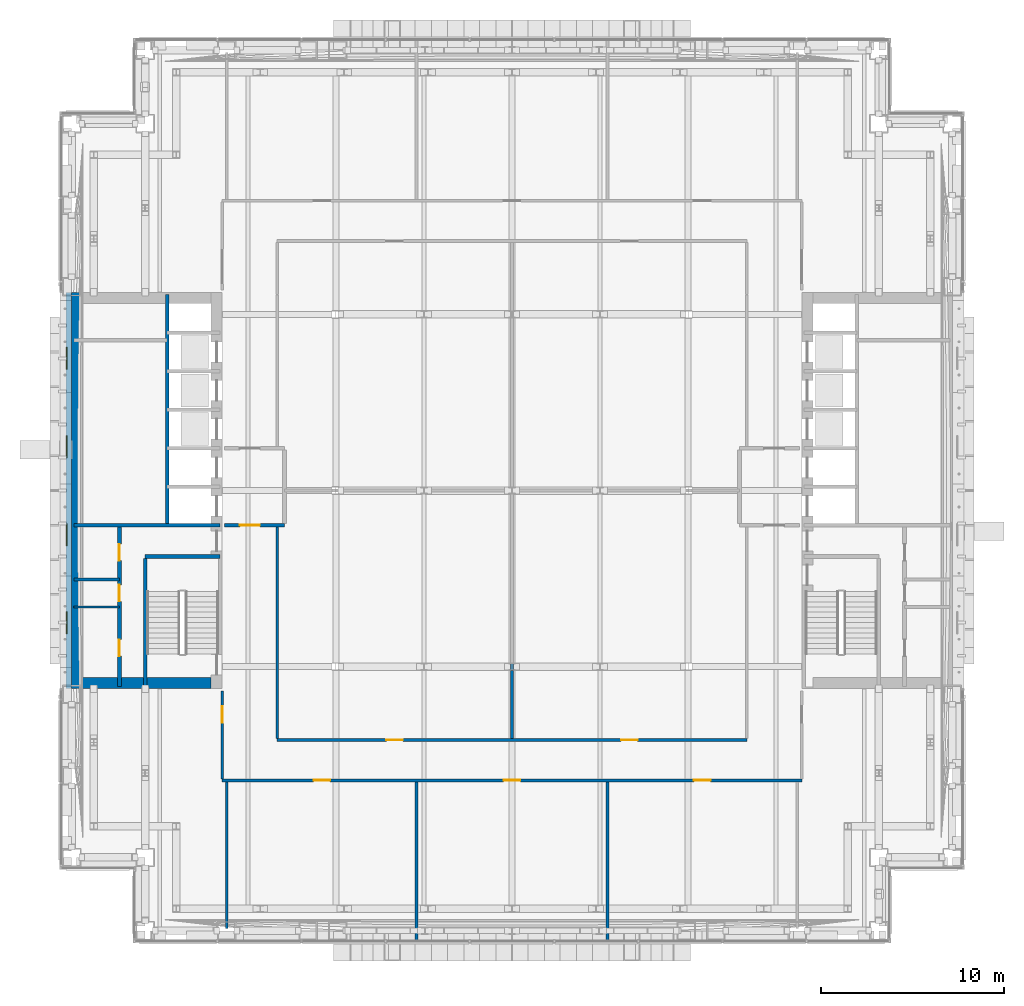
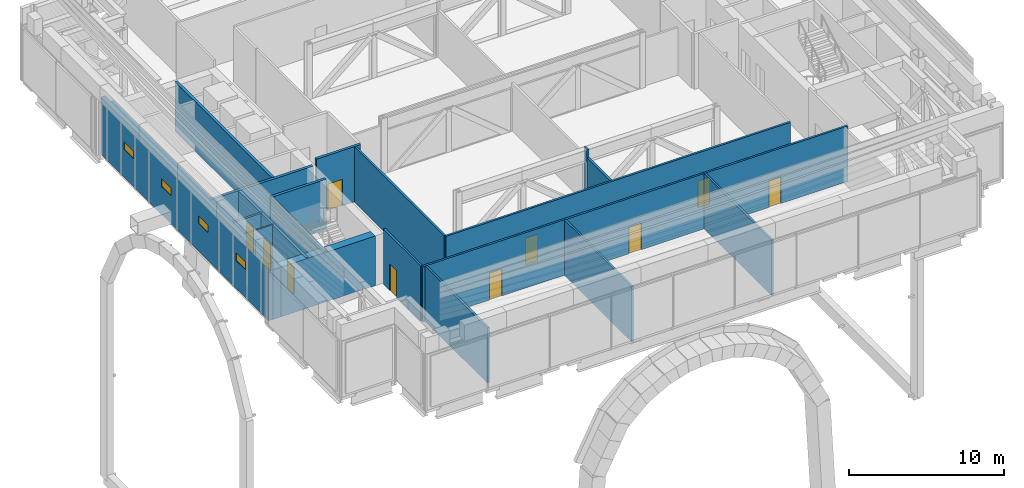
# One storey, part 17 of 39: 20 walls, 10 doors, 4 windows, 14 openings.
"""IFC4 building model written with IfcOpenShell, lengths in metres."""

from ifc_helpers import new_model, si_unit, direction, frame, frame_2d, origin, place, context, subcontext, project, spatial, rectangle, extrude, material, layer, layer_set, type_object, element, fill, save


model = new_model("IFC4")

# Units and contexts
model_context = context("Model", 3, precision=1e-05, world=origin(), true_north=direction((0.0, 1.0)))
body_context = subcontext(model_context, "Body", "Model", "MODEL_VIEW")
ifc_project = project(units=[si_unit("LENGTHUNIT", "METRE"), si_unit("AREAUNIT", "SQUARE_METRE"), si_unit("VOLUMEUNIT", "CUBIC_METRE"), si_unit("PLANEANGLEUNIT", "RADIAN"), si_unit("MASSUNIT", "GRAM", prefix="KILO")], contexts=[model_context])

# Site, building, storey
site_placement = place(None, origin())
site = spatial("IfcSite", under=ifc_project, at=site_placement, CompositionType="ELEMENT")
building_placement = place(site_placement, origin())
building = spatial("IfcBuilding", under=site, at=building_placement, Name="Cobrizo Arcos Hotel Tower", CompositionType="ELEMENT")
storey_placement = place(building_placement, frame((0.0, 0.0, 84.5)))
storey = spatial("IfcBuildingStorey", under=building, at=storey_placement, Name="L20", CompositionType="ELEMENT", Elevation=84.5)

# Wall, openings, doors
ifc_material_1 = material(Name="Gypsum board partition")
ifc_layer_1 = layer(ifc_material_1, 0.14990234375)
ifc_layer_set_1 = layer_set([ifc_layer_1], Name="Corridor wall EI 60 150")
wall_type_1 = type_object("IfcWallType", Name="Corridor wall EI 60 150", PredefinedType="PARTITIONING", material=ifc_layer_set_1)
wall_1_placement = place(storey_placement, frame((-15.800048828125, -15.800048828125, 0.0), z_axis=(0.0, 0.0, 1.0), x_axis=(1.0, 0.0, 0.0)))
wall_1 = element("IfcWall", 1, at=wall_1_placement, inside=storey, type_object=wall_type_1, Name="Partition 001", PredefinedType="PARTITIONING", context=body_context, shape_type="SweptSolid", body=[
    extrude(rectangle(XDim=31.60009765625, YDim=0.14990234375, at=frame_2d((15.800048828125, 0.0))), origin(), (0.0, 0.0, 1.0), 4.35009765625),
])
opening_1_placement = place(wall_1_placement, frame((4.97998046875, 0.0, 0.0)))
opening_1 = element("IfcOpeningElement", 2, at=opening_1_placement, cuts=wall_1, Name="Opening RD-10", PredefinedType="OPENING", context=body_context, shape_type="SweptSolid", body=[
    extrude(rectangle(XDim=0.89990234375, YDim=2.10009765625, at=frame_2d((0.449951171875, 1.050048828125))), frame((0.0, 0.0869140625, 0.0), z_axis=(0.0, -1.0, 0.0), x_axis=(1.0, 0.0, 0.0)), (0.0, 0.0, 1.0), 0.173828125),
])
opening_2_placement = place(wall_1_placement, frame((15.35009765625, 0.0, 0.0)))
opening_2 = element("IfcOpeningElement", 3, at=opening_2_placement, cuts=wall_1, Name="Opening RD-11", PredefinedType="OPENING", context=body_context, shape_type="SweptSolid", body=[
    extrude(rectangle(XDim=0.89990234375, YDim=2.10009765625, at=frame_2d((0.449951171875, 1.050048828125))), frame((0.0, 0.0869140625, 0.0), z_axis=(0.0, -1.0, 0.0), x_axis=(1.0, 0.0, 0.0)), (0.0, 0.0, 1.0), 0.173828125),
])
opening_3_placement = place(wall_1_placement, frame((25.720947265625, 0.0, 0.0)))
opening_3 = element("IfcOpeningElement", 4, at=opening_3_placement, cuts=wall_1, Name="Opening RD-12", PredefinedType="OPENING", context=body_context, shape_type="SweptSolid", body=[
    extrude(rectangle(XDim=0.89990234375, YDim=2.10009765625, at=frame_2d((0.449951171875, 1.050048828125))), frame((0.0, 0.0869140625, 0.0), z_axis=(0.0, -1.0, 0.0), x_axis=(1.0, 0.0, 0.0)), (0.0, 0.0, 1.0), 0.173828125),
])
ifc_material_2 = material(Name="Timber door leaf", Category="wood")
door_type_1 = type_object("IfcDoorType", Name="Room door FD30 900x2100", OperationType="SINGLE_SWING_LEFT", PredefinedType="DOOR", material=ifc_material_2)
door_1_placement = place(opening_1_placement, origin())
door_1 = element("IfcDoor", 5, at=door_1_placement, inside=storey, type_object=door_type_1, Name="Door RD-10", OperationType="SINGLE_SWING_RIGHT", OverallHeight=2.10009765625, OverallWidth=0.89990234375, PredefinedType="DOOR", context=body_context, shape_type="SweptSolid", body=[
    extrude(rectangle(XDim=0.89990234375, YDim=2.10009765625, at=frame_2d((0.449951171875, 1.050048828125))), frame((0.0, 0.02490234375, 0.0), z_axis=(0.0, -1.0, 0.0), x_axis=(1.0, 0.0, 0.0)), (0.0, 0.0, 1.0), 0.050048828125),
])
fill(opening_1, door_1)
door_2_placement = place(opening_2_placement, origin())
door_2 = element("IfcDoor", 6, at=door_2_placement, inside=storey, type_object=door_type_1, Name="Door RD-11", OperationType="SINGLE_SWING_LEFT", OverallHeight=2.10009765625, OverallWidth=0.89990234375, PredefinedType="DOOR", context=body_context, shape_type="SweptSolid", body=[
    extrude(rectangle(XDim=0.89990234375, YDim=2.10009765625, at=frame_2d((0.449951171875, 1.050048828125))), frame((0.0, 0.02490234375, 0.0), z_axis=(0.0, -1.0, 0.0), x_axis=(1.0, 0.0, 0.0)), (0.0, 0.0, 1.0), 0.050048828125),
])
fill(opening_2, door_2)
door_3_placement = place(opening_3_placement, origin())
door_3 = element("IfcDoor", 7, at=door_3_placement, inside=storey, type_object=door_type_1, Name="Door RD-12", OperationType="SINGLE_SWING_LEFT", OverallHeight=2.10009765625, OverallWidth=0.89990234375, PredefinedType="DOOR", context=body_context, shape_type="SweptSolid", body=[
    extrude(rectangle(XDim=0.89990234375, YDim=2.10009765625, at=frame_2d((0.449951171875, 1.050048828125))), frame((0.0, 0.02490234375, 0.0), z_axis=(0.0, -1.0, 0.0), x_axis=(1.0, 0.0, 0.0)), (0.0, 0.0, 1.0), 0.050048828125),
])
fill(opening_3, door_3)

wall_2_placement = place(storey_placement, frame((-12.800048828125, -13.60009765625, 0.0), z_axis=(0.0, 0.0, 1.0), x_axis=(1.0, 0.0, 0.0)))
wall_2 = element("IfcWall", 8, at=wall_2_placement, inside=storey, type_object=wall_type_1, Name="Partition 002", PredefinedType="PARTITIONING", context=body_context, shape_type="SweptSolid", body=[
    extrude(rectangle(XDim=25.60009765625, YDim=0.14990234375, at=frame_2d((12.800048828125, 0.0))), origin(), (0.0, 0.0, 1.0), 4.35009765625),
])
opening_4_placement = place(wall_2_placement, frame((5.949951171875, 0.0, 0.0)))
opening_4 = element("IfcOpeningElement", 9, at=opening_4_placement, cuts=wall_2, Name="Opening RD-15", PredefinedType="OPENING", context=body_context, shape_type="SweptSolid", body=[
    extrude(rectangle(XDim=0.89990234375, YDim=2.10009765625, at=frame_2d((0.449951171875, 1.050048828125))), frame((0.0, 0.0869140625, 0.0), z_axis=(0.0, -1.0, 0.0), x_axis=(1.0, 0.0, 0.0)), (0.0, 0.0, 1.0), 0.173828125),
])
opening_5_placement = place(wall_2_placement, frame((18.75, 0.0, 0.0)))
opening_5 = element("IfcOpeningElement", 10, at=opening_5_placement, cuts=wall_2, Name="Opening RD-17", PredefinedType="OPENING", context=body_context, shape_type="SweptSolid", body=[
    extrude(rectangle(XDim=0.89990234375, YDim=2.10009765625, at=frame_2d((0.449951171875, 1.050048828125))), frame((0.0, 0.0869140625, 0.0), z_axis=(0.0, -1.0, 0.0), x_axis=(1.0, 0.0, 0.0)), (0.0, 0.0, 1.0), 0.173828125),
])
door_4_placement = place(opening_4_placement, origin())
door_4 = element("IfcDoor", 11, at=door_4_placement, inside=storey, type_object=door_type_1, Name="Door RD-15", OperationType="SINGLE_SWING_RIGHT", OverallHeight=2.10009765625, OverallWidth=0.89990234375, PredefinedType="DOOR", context=body_context, shape_type="SweptSolid", body=[
    extrude(rectangle(XDim=0.89990234375, YDim=2.10009765625, at=frame_2d((0.449951171875, 1.050048828125))), frame((0.0, 0.02490234375, 0.0), z_axis=(0.0, -1.0, 0.0), x_axis=(1.0, 0.0, 0.0)), (0.0, 0.0, 1.0), 0.050048828125),
])
fill(opening_4, door_4)
door_5_placement = place(opening_5_placement, origin())
door_5 = element("IfcDoor", 12, at=door_5_placement, inside=storey, type_object=door_type_1, Name="Door RD-17", OperationType="SINGLE_SWING_LEFT", OverallHeight=2.10009765625, OverallWidth=0.89990234375, PredefinedType="DOOR", context=body_context, shape_type="SweptSolid", body=[
    extrude(rectangle(XDim=0.89990234375, YDim=2.10009765625, at=frame_2d((0.449951171875, 1.050048828125))), frame((0.0, 0.02490234375, 0.0), z_axis=(0.0, -1.0, 0.0), x_axis=(1.0, 0.0, 0.0)), (0.0, 0.0, 1.0), 0.050048828125),
])
fill(opening_5, door_5)

# Wall
wall_3_placement = place(storey_placement, frame((-23.8798828125, -4.85009765625, 0.0), z_axis=(0.0, 0.0, 1.0), x_axis=(1.0, 0.0, 0.0)))
element("IfcWall", 13, at=wall_3_placement, inside=storey, type_object=wall_type_1, Name="Partition 005", PredefinedType="PARTITIONING", context=body_context, shape_type="SweptSolid", body=[
    extrude(rectangle(XDim=2.47998046875, YDim=0.14990234375, at=frame_2d((1.239990234375, 0.0))), origin(), (0.0, 0.0, 1.0), 3.89990234375),
])

# Wall, opening, door
wall_4_placement = place(storey_placement, frame((-15.800048828125, -15.72509765625, 0.0), z_axis=(0.0, 0.0, 1.0), x_axis=(0.0, 1.0, 0.0)))
wall_4 = element("IfcWall", 14, at=wall_4_placement, inside=storey, type_object=wall_type_1, Name="Partition 035", PredefinedType="PARTITIONING", context=body_context, shape_type="SweptSolid", body=[
    extrude(rectangle(XDim=4.80517578125, YDim=0.14990234375, at=frame_2d((2.402587890625, 0.0))), origin(), (0.0, 0.0, 1.0), 4.35009765625),
])
opening_6_placement = place(wall_4_placement, frame((3.074951171875, 0.0, 0.0)))
opening_6 = element("IfcOpeningElement", 15, at=opening_6_placement, cuts=wall_4, Name="Opening RD-13", PredefinedType="OPENING", context=body_context, shape_type="SweptSolid", body=[
    extrude(rectangle(XDim=0.89990234375, YDim=2.10009765625, at=frame_2d((0.449951171875, 1.050048828125))), frame((0.0, 0.0869140625, 0.0), z_axis=(0.0, -1.0, 0.0), x_axis=(1.0, 0.0, 0.0)), (0.0, 0.0, 1.0), 0.173828125),
])
door_6_placement = place(opening_6_placement, origin())
door_6 = element("IfcDoor", 16, at=door_6_placement, inside=storey, type_object=door_type_1, Name="Door RD-13", OperationType="SINGLE_SWING_RIGHT", OverallHeight=2.10009765625, OverallWidth=0.89990234375, PredefinedType="DOOR", context=body_context, shape_type="SweptSolid", body=[
    extrude(rectangle(XDim=0.89990234375, YDim=2.10009765625, at=frame_2d((0.449951171875, 1.050048828125))), frame((0.0, 0.02490234375, 0.0), z_axis=(0.0, -1.0, 0.0), x_axis=(1.0, 0.0, 0.0)), (0.0, 0.0, 1.0), 0.050048828125),
])
fill(opening_6, door_6)

# Walls
wall_5_placement = place(storey_placement, frame((-15.550048828125, -23.8798828125, 0.0), z_axis=(0.0, 0.0, 1.0), x_axis=(0.0, 1.0, 0.0)))
element("IfcWall", 17, at=wall_5_placement, inside=storey, type_object=wall_type_1, Name="Partition 037", PredefinedType="PARTITIONING", context=body_context, shape_type="SweptSolid", body=[
    extrude(rectangle(XDim=8.0048828125, YDim=0.14990234375, at=frame_2d((4.00244140625, 0.0))), origin(), (0.0, 0.0, 1.0), 4.35009765625),
])
wall_6_placement = place(storey_placement, frame((-12.800048828125, -13.52490234375, 0.0), z_axis=(0.0, 0.0, 1.0), x_axis=(0.0, 1.0, 0.0)))
element("IfcWall", 18, at=wall_6_placement, inside=storey, type_object=wall_type_1, Name="Partition 039", PredefinedType="PARTITIONING", context=body_context, shape_type="SweptSolid", body=[
    extrude(rectangle(XDim=11.52490234375, YDim=0.14990234375, at=frame_2d((5.762451171875, 0.0))), origin(), (0.0, 0.0, 1.0), 4.35009765625),
])
wall_7_placement = place(storey_placement, frame((-5.199951171875, -24.530029296875, 0.0), z_axis=(0.0, 0.0, 1.0), x_axis=(0.0, 1.0, 0.0)))
element("IfcWall", 19, at=wall_7_placement, inside=storey, type_object=wall_type_1, Name="Partition 043", PredefinedType="PARTITIONING", context=body_context, shape_type="SweptSolid", body=[
    extrude(rectangle(XDim=8.655029296875, YDim=0.14990234375, at=frame_2d((4.32763671875, 0.0))), origin(), (0.0, 0.0, 1.0), 4.35009765625),
])
wall_8_placement = place(storey_placement, frame((0.0, -13.52490234375, 0.0), z_axis=(0.0, 0.0, 1.0), x_axis=(0.0, 1.0, 0.0)))
element("IfcWall", 20, at=wall_8_placement, inside=storey, type_object=wall_type_1, Name="Partition 045", PredefinedType="PARTITIONING", context=body_context, shape_type="SweptSolid", body=[
    extrude(rectangle(XDim=3.724853515625, YDim=0.14990234375, at=frame_2d((1.8623046875, 0.0))), origin(), (0.0, 0.0, 1.0), 3.72802734375),
])
wall_9_placement = place(storey_placement, frame((0.0, -9.800048828125, 0.0), z_axis=(0.0, 0.0, 1.0), x_axis=(0.0, 1.0, 0.0)))
element("IfcWall", 21, at=wall_9_placement, inside=storey, type_object=wall_type_1, Name="Partition 046", PredefinedType="PARTITIONING", context=body_context, shape_type="SweptSolid", body=[
    extrude(rectangle(XDim=0.401123046875, YDim=0.14990234375, at=frame_2d((0.20068359375, 0.0))), origin(), (0.0, 0.0, 1.0), 4.35009765625),
])
wall_10_placement = place(storey_placement, frame((5.199951171875, -24.530029296875, 0.0), z_axis=(0.0, 0.0, 1.0), x_axis=(0.0, 1.0, 0.0)))
element("IfcWall", 22, at=wall_10_placement, inside=storey, type_object=wall_type_1, Name="Partition 051", PredefinedType="PARTITIONING", context=body_context, shape_type="SweptSolid", body=[
    extrude(rectangle(XDim=8.655029296875, YDim=0.14990234375, at=frame_2d((4.32763671875, 0.0))), origin(), (0.0, 0.0, 1.0), 4.35009765625),
])

# Wall, openings, windows
ifc_material_3 = material(Name="Aluminium composite panel pale metal", Category="aluminium")
ifc_layer_2 = layer(ifc_material_3, 0.324951171875)
ifc_layer_set_2 = layer_set([ifc_layer_2], Name="EW-1 insulated panel wall 325")
wall_type_2 = type_object("IfcWallType", Name="EW-1 insulated panel wall 325", PredefinedType="SOLIDWALL", material=ifc_layer_set_2)
wall_11_placement = place(storey_placement, frame((-24.16259765625, 10.800048828125, 0.0), z_axis=(0.0, 0.0, 1.0), x_axis=(0.0, -1.0, 0.0)))
wall_11 = element("IfcWall", 23, at=wall_11_placement, inside=storey, type_object=wall_type_2, Name="Core face wall L20 W", PredefinedType="SOLIDWALL", context=body_context, shape_type="SweptSolid", body=[
    extrude(rectangle(XDim=21.60009765625, YDim=0.324951171875, at=frame_2d((10.800048828125, 0.0))), origin(), (0.0, 0.0, 1.0), 4.5),
])
opening_7_placement = place(wall_11_placement, frame((3.0, 0.0, 2.199951171875)))
opening_7 = element("IfcOpeningElement", 24, at=opening_7_placement, cuts=wall_11, Name="Opening W-39", PredefinedType="OPENING", context=body_context, shape_type="SweptSolid", body=[
    extrude(rectangle(XDim=1.199951171875, YDim=0.60009765625, at=frame_2d((0.60009765625, 0.300048828125))), frame((0.0, 0.174560546875, 0.0), z_axis=(0.0, -1.0, 0.0), x_axis=(1.0, 0.0, 0.0)), (0.0, 0.0, 1.0), 0.348876953125),
])
opening_8_placement = place(wall_11_placement, frame((7.800048828125, 0.0, 2.199951171875)))
opening_8 = element("IfcOpeningElement", 25, at=opening_8_placement, cuts=wall_11, Name="Opening W-40", PredefinedType="OPENING", context=body_context, shape_type="SweptSolid", body=[
    extrude(rectangle(XDim=1.199951171875, YDim=0.60009765625, at=frame_2d((0.60009765625, 0.300048828125))), frame((0.0, 0.174560546875, 0.0), z_axis=(0.0, -1.0, 0.0), x_axis=(1.0, 0.0, 0.0)), (0.0, 0.0, 1.0), 0.348876953125),
])
opening_9_placement = place(wall_11_placement, frame((12.60009765625, 0.0, 2.199951171875)))
opening_9 = element("IfcOpeningElement", 26, at=opening_9_placement, cuts=wall_11, Name="Opening W-41", PredefinedType="OPENING", context=body_context, shape_type="SweptSolid", body=[
    extrude(rectangle(XDim=1.199951171875, YDim=0.60009765625, at=frame_2d((0.60009765625, 0.300048828125))), frame((0.0, 0.174560546875, 0.0), z_axis=(0.0, -1.0, 0.0), x_axis=(1.0, 0.0, 0.0)), (0.0, 0.0, 1.0), 0.348876953125),
])
opening_10_placement = place(wall_11_placement, frame((17.39990234375, 0.0, 2.199951171875)))
opening_10 = element("IfcOpeningElement", 27, at=opening_10_placement, cuts=wall_11, Name="Opening W-42", PredefinedType="OPENING", context=body_context, shape_type="SweptSolid", body=[
    extrude(rectangle(XDim=1.199951171875, YDim=0.60009765625, at=frame_2d((0.60009765625, 0.300048828125))), frame((0.0, 0.174560546875, 0.0), z_axis=(0.0, -1.0, 0.0), x_axis=(1.0, 0.0, 0.0)), (0.0, 0.0, 1.0), 0.348876953125),
])
ifc_material_4 = material(Name="Aluminium 6063-T6 and clear laminated glass", Category="aluminium")
window_type = type_object("IfcWindowType", Name="W-S1 plant smoke-vent window 1200x600", PartitioningType="SINGLE_PANEL", PredefinedType="WINDOW", material=ifc_material_4)
window_1_placement = place(opening_7_placement, origin())
window_1 = element("IfcWindow", 28, at=window_1_placement, inside=storey, type_object=window_type, Name="Core face wall L20 W window W-39", OverallHeight=0.60009765625, OverallWidth=1.199951171875, PartitioningType="SINGLE_PANEL", PredefinedType="WINDOW", context=body_context, shape_type="SweptSolid", body=[
    extrude(rectangle(XDim=1.199951171875, YDim=0.60009765625, at=frame_2d((0.60009765625, 0.300048828125))), frame((0.0, -0.072509765625, 0.0), z_axis=(0.0, -1.0, 0.0), x_axis=(1.0, 0.0, 0.0)), (0.0, 0.0, 1.0), 0.06005859375),
])
fill(opening_7, window_1)
window_2_placement = place(opening_8_placement, origin())
window_2 = element("IfcWindow", 29, at=window_2_placement, inside=storey, type_object=window_type, Name="Core face wall L20 W window W-40", OverallHeight=0.60009765625, OverallWidth=1.199951171875, PartitioningType="SINGLE_PANEL", PredefinedType="WINDOW", context=body_context, shape_type="SweptSolid", body=[
    extrude(rectangle(XDim=1.199951171875, YDim=0.60009765625, at=frame_2d((0.60009765625, 0.300048828125))), frame((0.0, -0.072509765625, 0.0), z_axis=(0.0, -1.0, 0.0), x_axis=(1.0, 0.0, 0.0)), (0.0, 0.0, 1.0), 0.06005859375),
])
fill(opening_8, window_2)
window_3_placement = place(opening_9_placement, origin())
window_3 = element("IfcWindow", 30, at=window_3_placement, inside=storey, type_object=window_type, Name="Core face wall L20 W window W-41", OverallHeight=0.60009765625, OverallWidth=1.199951171875, PartitioningType="SINGLE_PANEL", PredefinedType="WINDOW", context=body_context, shape_type="SweptSolid", body=[
    extrude(rectangle(XDim=1.199951171875, YDim=0.60009765625, at=frame_2d((0.60009765625, 0.300048828125))), frame((0.0, -0.072509765625, 0.0), z_axis=(0.0, -1.0, 0.0), x_axis=(1.0, 0.0, 0.0)), (0.0, 0.0, 1.0), 0.06005859375),
])
fill(opening_9, window_3)
window_4_placement = place(opening_10_placement, origin())
window_4 = element("IfcWindow", 31, at=window_4_placement, inside=storey, type_object=window_type, Name="Core face wall L20 W window W-42", OverallHeight=0.60009765625, OverallWidth=1.199951171875, PartitioningType="SINGLE_PANEL", PredefinedType="WINDOW", context=body_context, shape_type="SweptSolid", body=[
    extrude(rectangle(XDim=1.199951171875, YDim=0.60009765625, at=frame_2d((0.60009765625, 0.300048828125))), frame((0.0, -0.072509765625, 0.0), z_axis=(0.0, -1.0, 0.0), x_axis=(1.0, 0.0, 0.0)), (0.0, 0.0, 1.0), 0.06005859375),
])
fill(opening_10, window_4)

# Walls
ifc_layer_3 = layer(ifc_material_1, 0.10009765625)
ifc_layer_set_3 = layer_set([ifc_layer_3], Name="Partition EI 30 100")
wall_type_3 = type_object("IfcWallType", Name="Partition EI 30 100", PredefinedType="PARTITIONING", material=ifc_layer_set_3)
wall_12_placement = place(storey_placement, frame((-23.8798828125, -6.35009765625, 0.0), z_axis=(0.0, 0.0, 1.0), x_axis=(1.0, 0.0, 0.0)))
element("IfcWall", 32, at=wall_12_placement, inside=storey, type_object=wall_type_3, Name="Partition 003", PredefinedType="PARTITIONING", context=body_context, shape_type="SweptSolid", body=[
    extrude(rectangle(XDim=2.47998046875, YDim=0.10009765625, at=frame_2d((1.239990234375, 0.0))), origin(), (0.0, 0.0, 1.0), 3.89990234375),
])
ifc_material_5 = material(Name="Concrete f'c 60 MPa", Category="concrete")
ifc_layer_4 = layer(ifc_material_5, 0.60009765625)
ifc_layer_set_4 = layer_set([ifc_layer_4], Name="RC core wall 600 f'c 60")
wall_type_4 = type_object("IfcWallType", Name="RC core wall 600 f'c 60", PredefinedType="SHEAR", material=ifc_layer_set_4)
wall_13_placement = place(storey_placement, frame((-23.699951171875, -10.800048828125, 0.0), z_axis=(0.0, 0.0, 1.0), x_axis=(0.0, 1.0, 0.0)))
element("IfcWall", 33, at=wall_13_placement, inside=storey, type_object=wall_type_4, Name="Core wall CW1, west core, outer face, L20", PredefinedType="SHEAR", context=body_context, shape_type="SweptSolid", body=[
    extrude(rectangle(XDim=21.60009765625, YDim=0.60009765625, at=frame_2d((10.800048828125, 0.0))), origin(), (0.0, 0.0, 1.0), 3.89990234375),
])
wall_14_placement = place(storey_placement, frame((-23.39990234375, -10.5, 0.0), z_axis=(0.0, 0.0, 1.0), x_axis=(1.0, 0.0, 0.0)))
element("IfcWall", 34, at=wall_14_placement, inside=storey, type_object=wall_type_4, Name="Core wall CW1, west core, south end, L20", PredefinedType="SHEAR", context=body_context, shape_type="SweptSolid", body=[
    extrude(rectangle(XDim=7.0, YDim=0.60009765625, at=frame_2d((3.5, 0.0))), origin(), (0.0, 0.0, 1.0), 3.89990234375),
])
ifc_layer_5 = layer(ifc_material_1, 0.199951171875)
ifc_layer_set_5 = layer_set([ifc_layer_5], Name="Shaft wall EI 120 200")
wall_type_5 = type_object("IfcWallType", Name="Shaft wall EI 120 200", PredefinedType="PARTITIONING", material=ifc_layer_set_5)
wall_15_placement = place(storey_placement, frame((-23.8798828125, -1.89990234375, 0.0), z_axis=(0.0, 0.0, 1.0), x_axis=(1.0, 0.0, 0.0)))
element("IfcWall", 35, at=wall_15_placement, inside=storey, type_object=wall_type_5, Name="Partition 009", PredefinedType="PARTITIONING", context=body_context, shape_type="SweptSolid", body=[
    extrude(rectangle(XDim=7.9599609375, YDim=0.199951171875, at=frame_2d((3.97998046875, 0.0))), origin(), (0.0, 0.0, 1.0), 3.89990234375),
])

# Wall, opening, door
wall_16_placement = place(storey_placement, frame((-15.679931640625, -1.89990234375, 0.0), z_axis=(0.0, 0.0, 1.0), x_axis=(1.0, 0.0, 0.0)))
wall_16 = element("IfcWall", 36, at=wall_16_placement, inside=storey, type_object=wall_type_5, Name="Partition 010", PredefinedType="PARTITIONING", context=body_context, shape_type="SweptSolid", body=[
    extrude(rectangle(XDim=3.280029296875, YDim=0.199951171875, at=frame_2d((1.64013671875, 0.0))), origin(), (0.0, 0.0, 1.0), 4.35009765625),
])
opening_11_placement = place(wall_16_placement, frame((0.840087890625, 0.0, 0.0)))
opening_11 = element("IfcOpeningElement", 37, at=opening_11_placement, cuts=wall_16, Name="Opening FD-03", PredefinedType="OPENING", context=body_context, shape_type="SweptSolid", body=[
    extrude(rectangle(XDim=1.10009765625, YDim=2.10009765625, at=frame_2d((0.550048828125, 1.050048828125))), frame((0.0, 0.112060546875, 0.0), z_axis=(0.0, -1.0, 0.0), x_axis=(1.0, 0.0, 0.0)), (0.0, 0.0, 1.0), 0.223876953125),
])
ifc_material_6 = material(Name="Steel door leaf", Category="steel")
door_type_2 = type_object("IfcDoorType", Name="Fire door FD60 1100x2100", OperationType="SINGLE_SWING_LEFT", PredefinedType="DOOR", material=ifc_material_6)
door_7_placement = place(opening_11_placement, origin())
door_7 = element("IfcDoor", 38, at=door_7_placement, inside=storey, type_object=door_type_2, Name="Door FD-03", OperationType="SINGLE_SWING_RIGHT", OverallHeight=2.10009765625, OverallWidth=1.10009765625, PredefinedType="DOOR", context=body_context, shape_type="SweptSolid", body=[
    extrude(rectangle(XDim=1.10009765625, YDim=2.10009765625, at=frame_2d((0.550048828125, 1.050048828125))), frame((0.0, 0.02490234375, 0.0), z_axis=(0.0, -1.0, 0.0), x_axis=(1.0, 0.0, 0.0)), (0.0, 0.0, 1.0), 0.050048828125),
])
fill(opening_11, door_7)

# Wall, openings, doors
wall_17_placement = place(storey_placement, frame((-21.39990234375, -10.679931640625, 0.0), z_axis=(0.0, 0.0, 1.0), x_axis=(0.0, 1.0, 0.0)))
wall_17 = element("IfcWall", 39, at=wall_17_placement, inside=storey, type_object=wall_type_5, Name="Partition 032", PredefinedType="PARTITIONING", context=body_context, shape_type="SweptSolid", body=[
    extrude(rectangle(XDim=8.679931640625, YDim=0.199951171875, at=frame_2d((4.33984375, 0.0))), origin(), (0.0, 0.0, 1.0), 3.89990234375),
])
opening_12_placement = place(wall_17_placement, frame((1.655029296875, 0.0, 0.0)))
opening_12 = element("IfcOpeningElement", 40, at=opening_12_placement, cuts=wall_17, Name="Opening RD-01", PredefinedType="OPENING", context=body_context, shape_type="SweptSolid", body=[
    extrude(rectangle(XDim=0.89990234375, YDim=2.10009765625, at=frame_2d((0.449951171875, 1.050048828125))), frame((0.0, 0.112060546875, 0.0), z_axis=(0.0, -1.0, 0.0), x_axis=(1.0, 0.0, 0.0)), (0.0, 0.0, 1.0), 0.223876953125),
])
opening_13_placement = place(wall_17_placement, frame((4.636962890625, 0.0, 0.0)))
opening_13 = element("IfcOpeningElement", 41, at=opening_13_placement, cuts=wall_17, Name="Opening RD-02", PredefinedType="OPENING", context=body_context, shape_type="SweptSolid", body=[
    extrude(rectangle(XDim=0.89990234375, YDim=2.10009765625, at=frame_2d((0.449951171875, 1.050048828125))), frame((0.0, 0.112060546875, 0.0), z_axis=(0.0, -1.0, 0.0), x_axis=(1.0, 0.0, 0.0)), (0.0, 0.0, 1.0), 0.223876953125),
])
opening_14_placement = place(wall_17_placement, frame((6.862060546875, 0.0, 0.0)))
opening_14 = element("IfcOpeningElement", 42, at=opening_14_placement, cuts=wall_17, Name="Opening RD-03", PredefinedType="OPENING", context=body_context, shape_type="SweptSolid", body=[
    extrude(rectangle(XDim=0.89990234375, YDim=2.10009765625, at=frame_2d((0.449951171875, 1.050048828125))), frame((0.0, 0.112060546875, 0.0), z_axis=(0.0, -1.0, 0.0), x_axis=(1.0, 0.0, 0.0)), (0.0, 0.0, 1.0), 0.223876953125),
])
door_8_placement = place(opening_12_placement, origin())
door_8 = element("IfcDoor", 43, at=door_8_placement, inside=storey, type_object=door_type_1, Name="Door RD-01", OperationType="SINGLE_SWING_RIGHT", OverallHeight=2.10009765625, OverallWidth=0.89990234375, PredefinedType="DOOR", context=body_context, shape_type="SweptSolid", body=[
    extrude(rectangle(XDim=0.89990234375, YDim=2.10009765625, at=frame_2d((0.449951171875, 1.050048828125))), frame((0.0, 0.02490234375, 0.0), z_axis=(0.0, -1.0, 0.0), x_axis=(1.0, 0.0, 0.0)), (0.0, 0.0, 1.0), 0.050048828125),
])
fill(opening_12, door_8)
door_9_placement = place(opening_13_placement, origin())
door_9 = element("IfcDoor", 44, at=door_9_placement, inside=storey, type_object=door_type_1, Name="Door RD-02", OperationType="SINGLE_SWING_RIGHT", OverallHeight=2.10009765625, OverallWidth=0.89990234375, PredefinedType="DOOR", context=body_context, shape_type="SweptSolid", body=[
    extrude(rectangle(XDim=0.89990234375, YDim=2.10009765625, at=frame_2d((0.449951171875, 1.050048828125))), frame((0.0, 0.02490234375, 0.0), z_axis=(0.0, -1.0, 0.0), x_axis=(1.0, 0.0, 0.0)), (0.0, 0.0, 1.0), 0.050048828125),
])
fill(opening_13, door_9)
door_10_placement = place(opening_14_placement, origin())
door_10 = element("IfcDoor", 45, at=door_10_placement, inside=storey, type_object=door_type_1, Name="Door RD-03", OperationType="SINGLE_SWING_RIGHT", OverallHeight=2.10009765625, OverallWidth=0.89990234375, PredefinedType="DOOR", context=body_context, shape_type="SweptSolid", body=[
    extrude(rectangle(XDim=0.89990234375, YDim=2.10009765625, at=frame_2d((0.449951171875, 1.050048828125))), frame((0.0, 0.02490234375, 0.0), z_axis=(0.0, -1.0, 0.0), x_axis=(1.0, 0.0, 0.0)), (0.0, 0.0, 1.0), 0.050048828125),
])
fill(opening_14, door_10)

# Walls
wall_18_placement = place(storey_placement, frame((-18.800048828125, -1.800048828125, 0.0), z_axis=(0.0, 0.0, 1.0), x_axis=(0.0, 1.0, 0.0)))
element("IfcWall", 46, at=wall_18_placement, inside=storey, type_object=wall_type_5, Name="Partition 034", PredefinedType="PARTITIONING", context=body_context, shape_type="SweptSolid", body=[
    extrude(rectangle(XDim=12.47998046875, YDim=0.199951171875, at=frame_2d((6.239990234375, 0.0))), origin(), (0.0, 0.0, 1.0), 3.89990234375),
])
ifc_material_7 = material(Name="Concrete f'c 40 MPa", Category="concrete")
ifc_layer_6 = layer(ifc_material_7, 0.199951171875)
ifc_layer_set_6 = layer_set([ifc_layer_6], Name="Stair shaft wall 200")
wall_type_6 = type_object("IfcWallType", Name="Stair shaft wall 200", PredefinedType="SHEAR", material=ifc_layer_set_6)
wall_19_placement = place(storey_placement, frame((-20.0, -3.60009765625, 0.0), z_axis=(0.0, 0.0, 1.0), x_axis=(1.0, 0.0, 0.0)))
element("IfcWall", 47, at=wall_19_placement, inside=storey, type_object=wall_type_6, Name="Stair shaft wall W", PredefinedType="SHEAR", context=body_context, shape_type="SweptSolid", body=[
    extrude(rectangle(XDim=4.080078125, YDim=0.199951171875, at=frame_2d((2.0400390625, 0.0))), origin(), (0.0, 0.0, 1.0), 3.89990234375),
])
wall_20_placement = place(storey_placement, frame((-20.0, -10.679931640625, 0.0), z_axis=(0.0, 0.0, 1.0), x_axis=(0.0, 1.0, 0.0)))
element("IfcWall", 48, at=wall_20_placement, inside=storey, type_object=wall_type_6, Name="Stair shaft wall W", PredefinedType="SHEAR", context=body_context, shape_type="SweptSolid", body=[
    extrude(rectangle(XDim=6.97998046875, YDim=0.199951171875, at=frame_2d((3.489990234375, 0.0))), origin(), (0.0, 0.0, 1.0), 3.89990234375),
])

save(model, "model.ifc")
